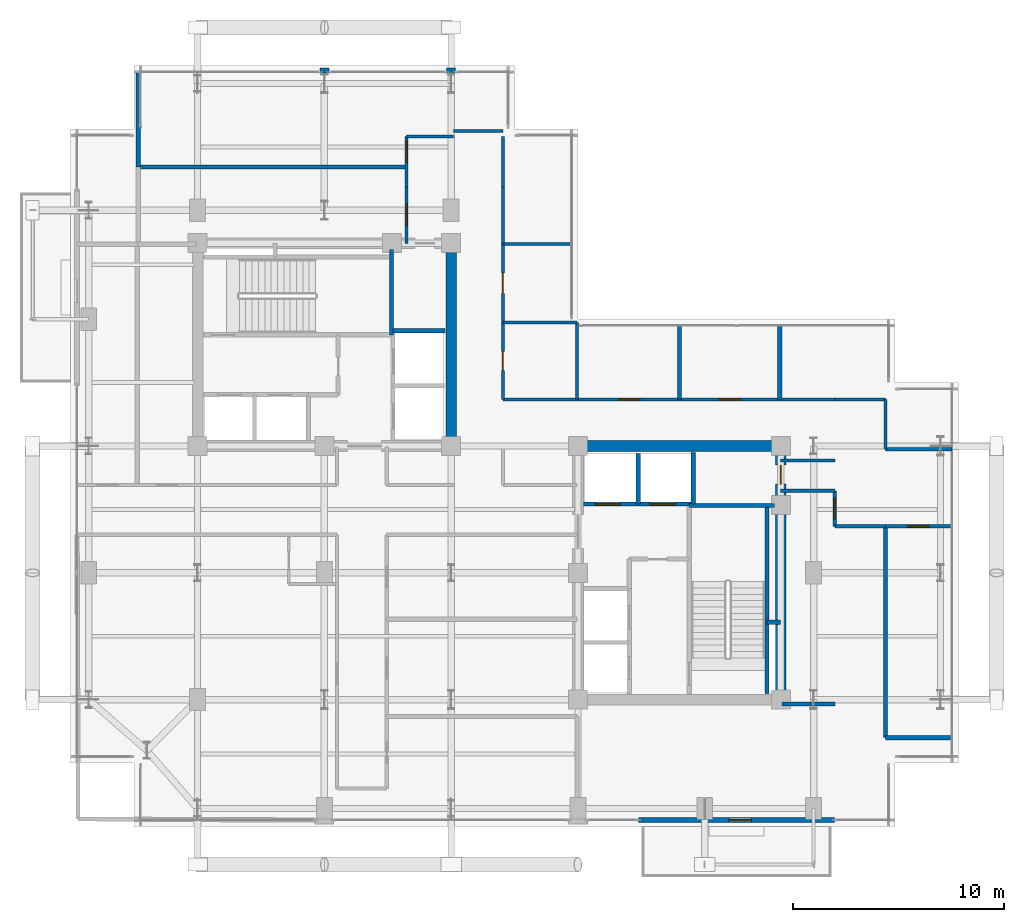
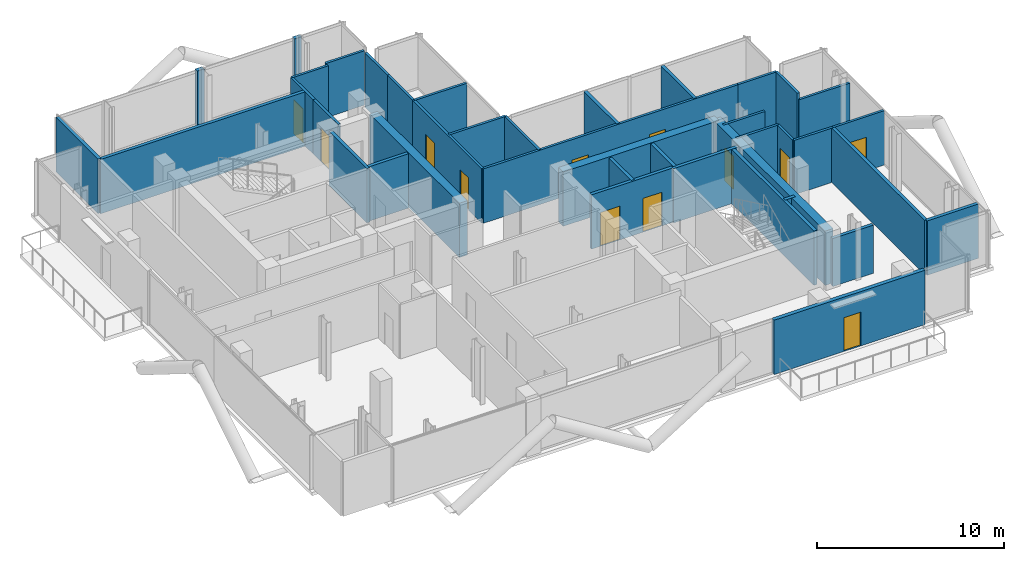
# One storey, part 21 of 25: 40 walls, 12 doors, 12 openings.
"""IFC4 building model written with IfcOpenShell, lengths in metres."""

from ifc_helpers import new_model, si_unit, direction, frame, frame_2d, origin, place, context, subcontext, project, spatial, rectangle, extrude, material, layer, layer_set, type_object, element, fill, save


model = new_model("IFC4")

# Units and contexts
model_context = context("Model", 3, precision=1e-05, world=origin(), true_north=direction((0.0, 1.0)))
body_context = subcontext(model_context, "Body", "Model", "MODEL_VIEW")
ifc_project = project(units=[si_unit("LENGTHUNIT", "METRE"), si_unit("AREAUNIT", "SQUARE_METRE"), si_unit("VOLUMEUNIT", "CUBIC_METRE"), si_unit("PLANEANGLEUNIT", "RADIAN"), si_unit("MASSUNIT", "GRAM", prefix="KILO"), si_unit("THERMODYNAMICTEMPERATUREUNIT", "KELVIN"), si_unit("POWERUNIT", "WATT")], contexts=[model_context])

# Site, building, storey
site_placement = place(None, origin())
site = spatial("IfcSite", under=ifc_project, at=site_placement, CompositionType="ELEMENT")
building_placement = place(site_placement, origin())
building = spatial("IfcBuilding", under=site, at=building_placement, Name="Svarakhadi Broadcast Tower", CompositionType="ELEMENT")
storey_placement = place(building_placement, frame((0.0, 0.0, 227.39990234375)))
storey = spatial("IfcBuildingStorey", under=building, at=storey_placement, Name="L56", CompositionType="ELEMENT", Elevation=227.39990234375)

# Walls
ifc_material_1 = material(Name="Double-Stud Acoustic Studio Partition STC-62", Category="gypsum")
ifc_layer_1 = layer(ifc_material_1, 0.199951171875)
ifc_layer_set_1 = layer_set([ifc_layer_1], Name="Double-Stud Acoustic Studio Partition STC-62")
wall_type_1 = type_object("IfcWallType", Name="Wall_Acoust_200", PredefinedType="PARTITIONING", material=ifc_layer_set_1)
for number, where, z_axis, x_axis, name in (
    (1, (28.800048828125, 20.199951171875, 0.0), (0.0, 0.0, 1.0), (0.0, 1.0, 0.0), "L56 Harbour Sky Club Reading Room Wall"),
    (2, (33.550048828125, 20.199951171875, 0.0), (0.0, 0.0, 1.0), (0.0, 1.0, 0.0), "L56 Private Sommelier Tasting Pantry Wall"),
):
    element("IfcWall", number, at=place(storey_placement, frame(where, z_axis=z_axis, x_axis=x_axis)), inside=storey, type_object=wall_type_1, Name=name, PredefinedType="PARTITIONING", context=body_context, shape_type="SweptSolid", body=[
        extrude(rectangle(XDim=3.5, YDim=0.199951171875, at=frame_2d((1.75, 0.0))), origin(), (0.0, 0.0, 1.0), 3.5400390625),
    ])
wall_1_placement = place(storey_placement, frame((33.64990234375, 5.800048828125, 0.0), z_axis=(0.0, 0.0, 1.0), x_axis=(1.0, 0.0, 0.0)))
element("IfcWall", 3, at=wall_1_placement, inside=storey, type_object=wall_type_1, Name="L56 Harbour Club Reading Salon Wall", PredefinedType="PARTITIONING", context=body_context, shape_type="SweptSolid", body=[
    extrude(rectangle(XDim=2.5, YDim=0.199951171875, at=frame_2d((1.25, 0.0))), origin(), (0.0, 0.0, 1.0), 3.132080078125),
])
wall_2_placement = place(storey_placement, frame((38.550048828125, 4.199951171875, 0.0), z_axis=(0.0, 0.0, 1.0), x_axis=(1.0, 0.0, 0.0)))
element("IfcWall", 4, at=wall_2_placement, inside=storey, type_object=wall_type_1, Name="L56 Sky Wellness Massage Lounge Wall", PredefinedType="PARTITIONING", context=body_context, shape_type="SweptSolid", body=[
    extrude(rectangle(XDim=3.14990234375, YDim=0.199951171875, at=frame_2d((1.574951171875, 0.0))), origin(), (0.0, 0.0, 1.0), 3.5400390625),
])
wall_3_placement = place(storey_placement, frame((38.550048828125, 4.199951171875, 0.0), z_axis=(0.0, 0.0, 1.0), x_axis=(0.0, 1.0, 0.0)))
element("IfcWall", 5, at=wall_3_placement, inside=storey, type_object=wall_type_1, Name="L56 Sky Wellness Massage Lounge Wall", PredefinedType="PARTITIONING", context=body_context, shape_type="SweptSolid", body=[
    extrude(rectangle(XDim=10.0, YDim=0.199951171875, at=frame_2d((5.0, 0.0))), origin(), (0.0, 0.0, 1.0), 3.5400390625),
])
wall_4_placement = place(storey_placement, frame((3.199951171875, 31.199951171875, 0.0), z_axis=(0.0, 0.0, 1.0), x_axis=(1.0, 0.0, 0.0)))
element("IfcWall", 6, at=wall_4_placement, inside=storey, type_object=wall_type_1, Name="L56 Hotel Pilates and Fitness Studio Wall", PredefinedType="PARTITIONING", context=body_context, shape_type="SweptSolid", body=[
    extrude(rectangle(XDim=12.679931640625, YDim=0.199951171875, at=frame_2d((6.33984375, 0.0))), origin(), (0.0, 0.0, 1.0), 3.5400390625),
])
wall_5_placement = place(storey_placement, frame((3.199951171875, 31.199951171875, 0.0), z_axis=(0.0, 0.0, 1.0), x_axis=(0.0, 1.0, 0.0)))
element("IfcWall", 7, at=wall_5_placement, inside=storey, type_object=wall_type_1, Name="L56 Conference Catering Pantry Wall", PredefinedType="PARTITIONING", context=body_context, shape_type="SweptSolid", body=[
    extrude(rectangle(XDim=4.5, YDim=0.199951171875, at=frame_2d((2.25, 0.0))), origin(), (0.0, 0.0, 1.0), 3.5400390625),
])

# Wall, opening, door
ifc_material_2 = material(Name="Concrete C40/50 (IS 456 M50)", Category="concrete")
ifc_layer_2 = layer(ifc_material_2, 0.239990234375)
ifc_layer_set_2 = layer_set([ifc_layer_2], Name="Concrete C40/50 (IS 456 M50)")
wall_type_2 = type_object("IfcWallType", Name="Wall_Ext_240", PredefinedType="SOLIDWALL", material=ifc_layer_set_2)
wall_6_placement = place(storey_placement, frame((36.14501953125, 0.300048828125, 0.0), z_axis=(0.0, 0.0, 1.0), x_axis=(-1.0, 0.0, 0.0)))
wall_6 = element("IfcWall", 8, at=wall_6_placement, inside=storey, type_object=wall_type_2, Name="L56 South Tree Balcony Spandrel Wall", PredefinedType="SOLIDWALL", context=body_context, shape_type="SweptSolid", body=[
    extrude(rectangle(XDim=9.2900390625, YDim=0.239990234375, at=frame_2d((4.64501953125, 0.0))), origin(), (0.0, 0.0, 1.0), 3.5400390625),
])
opening_1_placement = place(wall_6_placement, frame((3.945068359375, 0.0, 0.0)))
opening_1 = element("IfcOpeningElement", 9, at=opening_1_placement, cuts=wall_6, Name="Opening ED-06", PredefinedType="OPENING", context=body_context, shape_type="SweptSolid", body=[
    extrude(rectangle(XDim=1.050048828125, YDim=2.199951171875, at=frame_2d((0.52490234375, 1.10009765625))), frame((0.0, 0.1298828125, 0.0), z_axis=(0.0, -1.0, 0.0), x_axis=(1.0, 0.0, 0.0)), (0.0, 0.0, 1.0), 0.260009765625),
])
ifc_material_3 = material(Name="Anodised Bronze Aluminium AA 6063-T6", Category="aluminium")
door_type_1 = type_object("IfcDoorType", Name="Door_Ext_ED06", OperationType="SINGLE_SWING_RIGHT", PredefinedType="DOOR", material=ifc_material_3)
door_1_placement = place(opening_1_placement, origin())
door_1 = element("IfcDoor", 10, at=door_1_placement, inside=storey, type_object=door_type_1, Name="L56 South Tree Balcony Door", OperationType="SINGLE_SWING_RIGHT", OverallHeight=2.199951171875, OverallWidth=1.050048828125, PredefinedType="DOOR", context=body_context, shape_type="SweptSolid", body=[
    extrude(rectangle(XDim=1.050048828125, YDim=2.199951171875, at=frame_2d((0.52490234375, 1.10009765625))), frame((0.0, 0.02490234375, 0.0), z_axis=(0.0, -1.0, 0.0), x_axis=(1.0, 0.0, 0.0)), (0.0, 0.0, 1.0), 0.050048828125),
])
fill(opening_1, door_1)

# Walls
for number, where, z_axis, x_axis, name in (
    (11, (11.784912109375, 35.760009765625, 0.0), (0.0, 0.0, 1.0), (1.0, 0.0, 0.0), "L56 Perimeter Bronze Spandrel Closure Wall 01"),
    (12, (17.784912109375, 35.760009765625, 0.0), (0.0, 0.0, 1.0), (1.0, 0.0, 0.0), "L56 Perimeter Bronze Spandrel Closure Wall 02"),
):
    element("IfcWall", number, at=place(storey_placement, frame(where, z_axis=z_axis, x_axis=x_axis)), inside=storey, type_object=wall_type_2, Name=name, PredefinedType="SOLIDWALL", context=body_context, shape_type="SweptSolid", body=[
        extrude(rectangle(XDim=0.43017578125, YDim=0.239990234375, at=frame_2d((0.215087890625, 0.0))), origin(), (0.0, 0.0, 1.0), 3.5400390625),
    ])
ifc_layer_3 = layer(ifc_material_2, 0.199951171875)
ifc_layer_set_3 = layer_set([ifc_layer_3], Name="Concrete C40/50 (IS 456 M50)")
wall_type_3 = type_object("IfcWallType", Name="Wall_Fire_200", PredefinedType="SOLIDWALL", material=ifc_layer_set_3)
wall_7_placement = place(storey_placement, frame((32.93994140625, 9.659912109375, 0.0), z_axis=(0.0, 0.0, 1.0), x_axis=(1.0, 0.0, 0.0)))
element("IfcWall", 13, at=wall_7_placement, inside=storey, type_object=wall_type_3, Name="L56 HV Busduct Riser Shaft North Wall", PredefinedType="SOLIDWALL", context=body_context, shape_type="SweptSolid", body=[
    extrude(rectangle(XDim=0.64013671875, YDim=0.199951171875, at=frame_2d((0.320068359375, 0.0))), origin(), (0.0, 0.0, 1.0), 3.5400390625),
])

# Wall, opening, door
ifc_material_4 = material(Name="Autoclaved Aerated Concrete Blockwork 150 mm", Category="masonry")
ifc_layer_4 = layer(ifc_material_4, 0.14990234375)
ifc_layer_set_4 = layer_set([ifc_layer_4], Name="Autoclaved Aerated Concrete Blockwork 150 mm")
wall_type_4 = type_object("IfcWallType", Name="Wall_Part_150", PredefinedType="PARTITIONING", material=ifc_layer_set_4)
wall_8_placement = place(storey_placement, frame((15.8798828125, 27.580078125, 0.0), z_axis=(0.0, 0.0, 1.0), x_axis=(0.0, 1.0, 0.0)))
wall_8 = element("IfcWall", 14, at=wall_8_placement, inside=storey, type_object=wall_type_4, Name="L56 Upper Tower Concourse Wall", PredefinedType="PARTITIONING", context=body_context, shape_type="SweptSolid", body=[
    extrude(rectangle(XDim=2.669921875, YDim=0.14990234375, at=frame_2d((1.3349609375, 0.0))), origin(), (0.0, 0.0, 1.0), 3.5400390625),
])
opening_2_placement = place(wall_8_placement, frame((0.8701171875, 0.0, 0.0)))
opening_2 = element("IfcOpeningElement", 15, at=opening_2_placement, cuts=wall_8, Name="Opening D-09", PredefinedType="OPENING", context=body_context, shape_type="SweptSolid", body=[
    extrude(rectangle(XDim=1.0, YDim=2.199951171875, at=frame_2d((0.5, 1.10009765625))), frame((0.0, 0.0849609375, 0.0), z_axis=(0.0, -1.0, 0.0), x_axis=(1.0, 0.0, 0.0)), (0.0, 0.0, 1.0), 0.169921875),
])
ifc_material_5 = material(Name="Solid-Core Teak Veneer Acoustic Timber Leaf", Category="wood")
door_type_2 = type_object("IfcDoorType", Name="Door_Suite_D09", OperationType="SINGLE_SWING_RIGHT", PredefinedType="DOOR", material=ifc_material_5)
door_2_placement = place(opening_2_placement, origin())
door_2 = element("IfcDoor", 16, at=door_2_placement, inside=storey, type_object=door_type_2, Name="L56 Hotel Pilates and Fitness Studio Door", OperationType="SINGLE_SWING_RIGHT", OverallHeight=2.199951171875, OverallWidth=1.0, PredefinedType="DOOR", context=body_context, shape_type="SweptSolid", body=[
    extrude(rectangle(XDim=1.0, YDim=2.199951171875, at=frame_2d((0.5, 1.10009765625))), frame((0.0, 0.02490234375, 0.0), z_axis=(0.0, -1.0, 0.0), x_axis=(1.0, 0.0, 0.0)), (0.0, 0.0, 1.0), 0.050048828125),
])
fill(opening_2, door_2)

wall_9_placement = place(storey_placement, frame((15.8798828125, 30.25, 0.0), z_axis=(0.0, 0.0, 1.0), x_axis=(0.0, 1.0, 0.0)))
wall_9 = element("IfcWall", 17, at=wall_9_placement, inside=storey, type_object=wall_type_4, Name="L56 Upper Tower Concourse Wall", PredefinedType="PARTITIONING", context=body_context, shape_type="SweptSolid", body=[
    extrude(rectangle(XDim=2.39990234375, YDim=0.14990234375, at=frame_2d((1.199951171875, 0.0))), origin(), (0.0, 0.0, 1.0), 3.5400390625),
])
opening_3_placement = place(wall_9_placement, frame((1.175048828125, 0.0, 0.0)))
opening_3 = element("IfcOpeningElement", 18, at=opening_3_placement, cuts=wall_9, Name="Opening D-09", PredefinedType="OPENING", context=body_context, shape_type="SweptSolid", body=[
    extrude(rectangle(XDim=1.0, YDim=2.199951171875, at=frame_2d((0.5, 1.10009765625))), frame((0.0, 0.0849609375, 0.0), z_axis=(0.0, -1.0, 0.0), x_axis=(1.0, 0.0, 0.0)), (0.0, 0.0, 1.0), 0.169921875),
])
door_3_placement = place(opening_3_placement, origin())
door_3 = element("IfcDoor", 19, at=door_3_placement, inside=storey, type_object=door_type_2, Name="L56 Conference Catering Pantry Door", OperationType="SINGLE_SWING_RIGHT", OverallHeight=2.199951171875, OverallWidth=1.0, PredefinedType="DOOR", context=body_context, shape_type="SweptSolid", body=[
    extrude(rectangle(XDim=1.0, YDim=2.199951171875, at=frame_2d((0.5, 1.10009765625))), frame((0.0, 0.02490234375, 0.0), z_axis=(0.0, -1.0, 0.0), x_axis=(1.0, 0.0, 0.0)), (0.0, 0.0, 1.0), 0.050048828125),
])
fill(opening_3, door_3)

# Walls
wall_10_placement = place(storey_placement, frame((15.8798828125, 32.64990234375, 0.0), z_axis=(0.0, 0.0, 1.0), x_axis=(1.0, 0.0, 0.0)))
element("IfcWall", 20, at=wall_10_placement, inside=storey, type_object=wall_type_4, Name="L56 Upper Tower Concourse Wall", PredefinedType="PARTITIONING", context=body_context, shape_type="SweptSolid", body=[
    extrude(rectangle(XDim=2.22021484375, YDim=0.14990234375, at=frame_2d((1.110107421875, 0.0))), origin(), (0.0, 0.0, 1.0), 3.5400390625),
])
wall_11_placement = place(storey_placement, frame((18.10009765625, 32.89990234375, 0.0), z_axis=(0.0, 0.0, 1.0), x_axis=(1.0, 0.0, 0.0)))
element("IfcWall", 21, at=wall_11_placement, inside=storey, type_object=wall_type_4, Name="L56 Upper Tower Concourse Wall", PredefinedType="PARTITIONING", context=body_context, shape_type="SweptSolid", body=[
    extrude(rectangle(XDim=2.349853515625, YDim=0.14990234375, at=frame_2d((1.1748046875, 0.0))), origin(), (0.0, 0.0, 1.0), 3.5400390625),
])
wall_12_placement = place(storey_placement, frame((20.449951171875, 32.64990234375, 0.0), z_axis=(0.0, 0.0, 1.0), x_axis=(0.0, -1.0, 0.0)))
element("IfcWall", 22, at=wall_12_placement, inside=storey, type_object=wall_type_4, Name="L56 Upper Tower Concourse Wall", PredefinedType="PARTITIONING", context=body_context, shape_type="SweptSolid", body=[
    extrude(rectangle(XDim=2.39990234375, YDim=0.14990234375, at=frame_2d((1.199951171875, 0.0))), origin(), (0.0, 0.0, 1.0), 3.5400390625),
])
wall_13_placement = place(storey_placement, frame((20.449951171875, 30.25, 0.0), z_axis=(0.0, 0.0, 1.0), x_axis=(0.0, -1.0, 0.0)))
element("IfcWall", 23, at=wall_13_placement, inside=storey, type_object=wall_type_4, Name="L56 Upper Tower Concourse Wall", PredefinedType="PARTITIONING", context=body_context, shape_type="SweptSolid", body=[
    extrude(rectangle(XDim=2.669921875, YDim=0.14990234375, at=frame_2d((1.3349609375, 0.0))), origin(), (0.0, 0.0, 1.0), 3.5400390625),
])

# Wall, openings, doors
wall_14_placement = place(storey_placement, frame((20.449951171875, 27.580078125, 0.0), z_axis=(0.0, 0.0, 1.0), x_axis=(0.0, -1.0, 0.0)))
wall_14 = element("IfcWall", 24, at=wall_14_placement, inside=storey, type_object=wall_type_4, Name="L56 Upper Tower Concourse Wall", PredefinedType="PARTITIONING", context=body_context, shape_type="SweptSolid", body=[
    extrude(rectangle(XDim=7.380126953125, YDim=0.14990234375, at=frame_2d((3.68994140625, 0.0))), origin(), (0.0, 0.0, 1.0), 3.5400390625),
])
opening_4_placement = place(wall_14_placement, frame((5.10498046875, 0.0, 0.0)))
opening_4 = element("IfcOpeningElement", 25, at=opening_4_placement, cuts=wall_14, Name="Opening D-12", PredefinedType="OPENING", context=body_context, shape_type="SweptSolid", body=[
    extrude(rectangle(XDim=0.89990234375, YDim=2.10009765625, at=frame_2d((0.449951171875, 1.050048828125))), frame((0.0, 0.0849609375, 0.0), z_axis=(0.0, -1.0, 0.0), x_axis=(1.0, 0.0, 0.0)), (0.0, 0.0, 1.0), 0.169921875),
])
opening_5_placement = place(wall_14_placement, frame((1.405029296875, 0.0, 0.0)))
opening_5 = element("IfcOpeningElement", 26, at=opening_5_placement, cuts=wall_14, Name="Opening D-07", PredefinedType="OPENING", context=body_context, shape_type="SweptSolid", body=[
    extrude(rectangle(XDim=0.949951171875, YDim=2.14990234375, at=frame_2d((0.47509765625, 1.074951171875))), frame((0.0, 0.0849609375, 0.0), z_axis=(0.0, -1.0, 0.0), x_axis=(1.0, 0.0, 0.0)), (0.0, 0.0, 1.0), 0.169921875),
])
door_type_3 = type_object("IfcDoorType", Name="Door_Office_D07", OperationType="SINGLE_SWING_RIGHT", PredefinedType="DOOR", material=ifc_material_5)
door_4_placement = place(opening_5_placement, origin())
door_4 = element("IfcDoor", 27, at=door_4_placement, inside=storey, type_object=door_type_3, Name="L56 Hotel Butler Service Pantry Door", OperationType="SINGLE_SWING_RIGHT", OverallHeight=2.14990234375, OverallWidth=0.949951171875, PredefinedType="DOOR", context=body_context, shape_type="SweptSolid", body=[
    extrude(rectangle(XDim=0.949951171875, YDim=2.14990234375, at=frame_2d((0.47509765625, 1.074951171875))), frame((0.0, 0.02490234375, 0.0), z_axis=(0.0, -1.0, 0.0), x_axis=(1.0, 0.0, 0.0)), (0.0, 0.0, 1.0), 0.050048828125),
])
fill(opening_5, door_4)
door_type_4 = type_object("IfcDoorType", Name="Door_WC_D01", OperationType="SINGLE_SWING_LEFT", PredefinedType="DOOR", material=ifc_material_5)
door_5_placement = place(opening_4_placement, origin())
door_5 = element("IfcDoor", 28, at=door_5_placement, inside=storey, type_object=door_type_4, Name="L56 Accessible Visitor Washroom WC Door", OperationType="SINGLE_SWING_LEFT", OverallHeight=2.10009765625, OverallWidth=0.89990234375, PredefinedType="DOOR", context=body_context, shape_type="SweptSolid", body=[
    extrude(rectangle(XDim=0.89990234375, YDim=2.10009765625, at=frame_2d((0.449951171875, 1.050048828125))), frame((0.0, 0.02490234375, 0.0), z_axis=(0.0, -1.0, 0.0), x_axis=(1.0, 0.0, 0.0)), (0.0, 0.0, 1.0), 0.050048828125),
])
fill(opening_4, door_5)

wall_15_placement = place(storey_placement, frame((20.449951171875, 20.199951171875, 0.0), z_axis=(0.0, 0.0, 1.0), x_axis=(1.0, 0.0, 0.0)))
wall_15 = element("IfcWall", 29, at=wall_15_placement, inside=storey, type_object=wall_type_4, Name="L56 Upper Tower Concourse Wall", PredefinedType="PARTITIONING", context=body_context, shape_type="SweptSolid", body=[
    extrude(rectangle(XDim=15.699951171875, YDim=0.14990234375, at=frame_2d((7.85009765625, 0.0))), origin(), (0.0, 0.0, 1.0), 3.5400390625),
])
opening_6_placement = place(wall_15_placement, frame((5.47509765625, 0.0, 0.0)))
opening_6 = element("IfcOpeningElement", 30, at=opening_6_placement, cuts=wall_15, Name="Opening D-08", PredefinedType="OPENING", context=body_context, shape_type="SweptSolid", body=[
    extrude(rectangle(XDim=1.0, YDim=2.199951171875, at=frame_2d((0.5, 1.10009765625))), frame((0.0, 0.0849609375, 0.0), z_axis=(0.0, -1.0, 0.0), x_axis=(1.0, 0.0, 0.0)), (0.0, 0.0, 1.0), 0.169921875),
])
opening_7_placement = place(wall_15_placement, frame((10.22509765625, 0.0, 0.0)))
opening_7 = element("IfcOpeningElement", 31, at=opening_7_placement, cuts=wall_15, Name="Opening D-09", PredefinedType="OPENING", context=body_context, shape_type="SweptSolid", body=[
    extrude(rectangle(XDim=1.0, YDim=2.199951171875, at=frame_2d((0.5, 1.10009765625))), frame((0.0, 0.0849609375, 0.0), z_axis=(0.0, -1.0, 0.0), x_axis=(1.0, 0.0, 0.0)), (0.0, 0.0, 1.0), 0.169921875),
])
door_type_5 = type_object("IfcDoorType", Name="Door_Suite_D08", OperationType="SINGLE_SWING_LEFT", PredefinedType="DOOR", material=ifc_material_5)
door_6_placement = place(opening_6_placement, origin())
door_6 = element("IfcDoor", 32, at=door_6_placement, inside=storey, type_object=door_type_5, Name="L56 Harbour Sky Club Reading Room Door", OperationType="SINGLE_SWING_LEFT", OverallHeight=2.199951171875, OverallWidth=1.0, PredefinedType="DOOR", context=body_context, shape_type="SweptSolid", body=[
    extrude(rectangle(XDim=1.0, YDim=2.199951171875, at=frame_2d((0.5, 1.10009765625))), frame((0.0, 0.02490234375, 0.0), z_axis=(0.0, -1.0, 0.0), x_axis=(1.0, 0.0, 0.0)), (0.0, 0.0, 1.0), 0.050048828125),
])
fill(opening_6, door_6)
door_7_placement = place(opening_7_placement, origin())
door_7 = element("IfcDoor", 33, at=door_7_placement, inside=storey, type_object=door_type_2, Name="L56 Private Sommelier Tasting Pantry Door", OperationType="SINGLE_SWING_RIGHT", OverallHeight=2.199951171875, OverallWidth=1.0, PredefinedType="DOOR", context=body_context, shape_type="SweptSolid", body=[
    extrude(rectangle(XDim=1.0, YDim=2.199951171875, at=frame_2d((0.5, 1.10009765625))), frame((0.0, 0.02490234375, 0.0), z_axis=(0.0, -1.0, 0.0), x_axis=(1.0, 0.0, 0.0)), (0.0, 0.0, 1.0), 0.050048828125),
])
fill(opening_7, door_7)

# Walls
wall_16_placement = place(storey_placement, frame((36.14990234375, 20.199951171875, 0.0), z_axis=(0.0, 0.0, 1.0), x_axis=(1.0, 0.0, 0.0)))
element("IfcWall", 34, at=wall_16_placement, inside=storey, type_object=wall_type_4, Name="L56 Upper Tower Concourse Wall", PredefinedType="PARTITIONING", context=body_context, shape_type="SweptSolid", body=[
    extrude(rectangle(XDim=2.400146484375, YDim=0.14990234375, at=frame_2d((1.2001953125, 0.0))), origin(), (0.0, 0.0, 1.0), 3.5400390625),
])
wall_17_placement = place(storey_placement, frame((38.550048828125, 20.199951171875, 0.0), z_axis=(0.0, 0.0, 1.0), x_axis=(0.0, -1.0, 0.0)))
element("IfcWall", 35, at=wall_17_placement, inside=storey, type_object=wall_type_4, Name="L56 Upper Tower Concourse Wall", PredefinedType="PARTITIONING", context=body_context, shape_type="SweptSolid", body=[
    extrude(rectangle(XDim=2.349853515625, YDim=0.14990234375, at=frame_2d((1.1748046875, 0.0))), origin(), (0.0, 0.0, 1.0), 3.5400390625),
])
wall_18_placement = place(storey_placement, frame((38.550048828125, 17.85009765625, 0.0), z_axis=(0.0, 0.0, 1.0), x_axis=(1.0, 0.0, 0.0)))
element("IfcWall", 36, at=wall_18_placement, inside=storey, type_object=wall_type_4, Name="L56 Upper Tower Concourse Wall", PredefinedType="PARTITIONING", context=body_context, shape_type="SweptSolid", body=[
    extrude(rectangle(XDim=3.14990234375, YDim=0.14990234375, at=frame_2d((1.574951171875, 0.0))), origin(), (0.0, 0.0, 1.0), 3.132080078125),
])

# Wall, opening, door
wall_19_placement = place(storey_placement, frame((41.699951171875, 14.199951171875, 0.0), z_axis=(0.0, 0.0, 1.0), x_axis=(-1.0, 0.0, 0.0)))
wall_19 = element("IfcWall", 37, at=wall_19_placement, inside=storey, type_object=wall_type_4, Name="L56 Upper Tower Concourse Wall", PredefinedType="PARTITIONING", context=body_context, shape_type="SweptSolid", body=[
    extrude(rectangle(XDim=3.14990234375, YDim=0.14990234375, at=frame_2d((1.574951171875, 0.0))), origin(), (0.0, 0.0, 1.0), 3.5400390625),
])
opening_8_placement = place(wall_19_placement, frame((1.10009765625, 0.0, 0.0)))
opening_8 = element("IfcOpeningElement", 38, at=opening_8_placement, cuts=wall_19, Name="Opening D-08", PredefinedType="OPENING", context=body_context, shape_type="SweptSolid", body=[
    extrude(rectangle(XDim=1.0, YDim=2.199951171875, at=frame_2d((0.5, 1.10009765625))), frame((0.0, 0.0849609375, 0.0), z_axis=(0.0, -1.0, 0.0), x_axis=(1.0, 0.0, 0.0)), (0.0, 0.0, 1.0), 0.169921875),
])
door_8_placement = place(opening_8_placement, origin())
door_8 = element("IfcDoor", 39, at=door_8_placement, inside=storey, type_object=door_type_5, Name="L56 Sky Wellness Massage Lounge Door", OperationType="SINGLE_SWING_LEFT", OverallHeight=2.199951171875, OverallWidth=1.0, PredefinedType="DOOR", context=body_context, shape_type="SweptSolid", body=[
    extrude(rectangle(XDim=1.0, YDim=2.199951171875, at=frame_2d((0.5, 1.10009765625))), frame((0.0, 0.02490234375, 0.0), z_axis=(0.0, -1.0, 0.0), x_axis=(1.0, 0.0, 0.0)), (0.0, 0.0, 1.0), 0.050048828125),
])
fill(opening_8, door_8)

# Wall
wall_20_placement = place(storey_placement, frame((38.550048828125, 14.199951171875, 0.0), z_axis=(0.0, 0.0, 1.0), x_axis=(-1.0, 0.0, 0.0)))
element("IfcWall", 40, at=wall_20_placement, inside=storey, type_object=wall_type_4, Name="L56 Upper Tower Concourse Wall", PredefinedType="PARTITIONING", context=body_context, shape_type="SweptSolid", body=[
    extrude(rectangle(XDim=2.400146484375, YDim=0.14990234375, at=frame_2d((1.2001953125, 0.0))), origin(), (0.0, 0.0, 1.0), 3.5400390625),
])

# Wall, opening, door
wall_21_placement = place(storey_placement, frame((36.14990234375, 14.199951171875, 0.0), z_axis=(0.0, 0.0, 1.0), x_axis=(0.0, 1.0, 0.0)))
wall_21 = element("IfcWall", 41, at=wall_21_placement, inside=storey, type_object=wall_type_4, Name="L56 Upper Tower Concourse Wall", PredefinedType="PARTITIONING", context=body_context, shape_type="SweptSolid", body=[
    extrude(rectangle(XDim=1.679931640625, YDim=0.14990234375, at=frame_2d((0.83984375, 0.0))), origin(), (0.0, 0.0, 1.0), 3.5400390625),
])
opening_9_placement = place(wall_21_placement, frame((0.340087890625, 0.0, 0.0)))
opening_9 = element("IfcOpeningElement", 42, at=opening_9_placement, cuts=wall_21, Name="Opening D-09", PredefinedType="OPENING", context=body_context, shape_type="SweptSolid", body=[
    extrude(rectangle(XDim=1.0, YDim=2.199951171875, at=frame_2d((0.5, 1.10009765625))), frame((0.0, 0.0849609375, 0.0), z_axis=(0.0, -1.0, 0.0), x_axis=(1.0, 0.0, 0.0)), (0.0, 0.0, 1.0), 0.169921875),
])
door_9_placement = place(opening_9_placement, origin())
door_9 = element("IfcDoor", 43, at=door_9_placement, inside=storey, type_object=door_type_2, Name="L56 Harbour Club Reading Salon Door", OperationType="SINGLE_SWING_RIGHT", OverallHeight=2.199951171875, OverallWidth=1.0, PredefinedType="DOOR", context=body_context, shape_type="SweptSolid", body=[
    extrude(rectangle(XDim=1.0, YDim=2.199951171875, at=frame_2d((0.5, 1.10009765625))), frame((0.0, 0.02490234375, 0.0), z_axis=(0.0, -1.0, 0.0), x_axis=(1.0, 0.0, 0.0)), (0.0, 0.0, 1.0), 0.050048828125),
])
fill(opening_9, door_9)

# Walls
for number, where, z_axis, x_axis, name in (
    (44, (36.14990234375, 15.8798828125, 0.0), (0.0, 0.0, 1.0), (-1.0, 0.0, 0.0), "L56 Upper Tower Concourse Wall"),
    (45, (33.580078125, 17.320068359375, 0.0), (0.0, 0.0, 1.0), (1.0, 0.0, 0.0), "L56 Upper Tower Concourse Wall"),
):
    element("IfcWall", number, at=place(storey_placement, frame(where, z_axis=z_axis, x_axis=x_axis)), inside=storey, type_object=wall_type_4, Name=name, PredefinedType="PARTITIONING", context=body_context, shape_type="SweptSolid", body=[
        extrude(rectangle(XDim=2.56982421875, YDim=0.14990234375, at=frame_2d((1.284912109375, 0.0))), origin(), (0.0, 0.0, 1.0), 3.5400390625),
    ])
wall_22_placement = place(storey_placement, frame((20.449951171875, 23.85009765625, 0.0), z_axis=(0.0, 0.0, 1.0), x_axis=(1.0, 0.0, 0.0)))
element("IfcWall", 46, at=wall_22_placement, inside=storey, type_object=wall_type_4, Name="L56 Accessible Visitor Washroom WC Wall", PredefinedType="PARTITIONING", context=body_context, shape_type="SweptSolid", body=[
    extrude(rectangle(XDim=3.5, YDim=0.14990234375, at=frame_2d((1.75, 0.0))), origin(), (0.0, 0.0, 1.0), 3.5400390625),
])
wall_23_placement = place(storey_placement, frame((23.949951171875, 20.199951171875, 0.0), z_axis=(0.0, 0.0, 1.0), x_axis=(0.0, 1.0, 0.0)))
element("IfcWall", 47, at=wall_23_placement, inside=storey, type_object=wall_type_4, Name="L56 Accessible Visitor Washroom WC Wall", PredefinedType="PARTITIONING", context=body_context, shape_type="SweptSolid", body=[
    extrude(rectangle(XDim=3.650146484375, YDim=0.14990234375, at=frame_2d((1.8251953125, 0.0))), origin(), (0.0, 0.0, 1.0), 3.5400390625),
])
wall_24_placement = place(storey_placement, frame((20.449951171875, 27.550048828125, 0.0), z_axis=(0.0, 0.0, 1.0), x_axis=(1.0, 0.0, 0.0)))
element("IfcWall", 48, at=wall_24_placement, inside=storey, type_object=wall_type_4, Name="L56 Hotel Butler Service Pantry Wall", PredefinedType="PARTITIONING", context=body_context, shape_type="SweptSolid", body=[
    extrude(rectangle(XDim=3.25, YDim=0.14990234375, at=frame_2d((1.625, 0.0))), origin(), (0.0, 0.0, 1.0), 3.5400390625),
])
ifc_material_6 = material(Name="Concrete C50/60 (IS 456 M60)", Category="concrete")
ifc_layer_5 = layer(ifc_material_6, 0.199951171875)
ifc_layer_set_5 = layer_set([ifc_layer_5], Name="Concrete C50/60 (IS 456 M60)")
wall_type_5 = type_object("IfcWallType", Name="Wall_Shear_200", PredefinedType="SHEAR", material=ifc_layer_set_5)
wall_25_placement = place(storey_placement, frame((15.179931640625, 23.260009765625, 0.0), z_axis=(0.0, 0.0, 1.0), x_axis=(0.0, 1.0, 0.0)))
element("IfcWall", 49, at=wall_25_placement, inside=storey, type_object=wall_type_5, Name="L56 Stair ST-01 East RC Shaft Wall", PredefinedType="SHEAR", context=body_context, shape_type="SweptSolid", body=[
    extrude(rectangle(XDim=4.0400390625, YDim=0.199951171875, at=frame_2d((2.02001953125, 0.0))), origin(), (0.0, 0.0, 1.0), 3.5400390625),
])
wall_26_placement = place(storey_placement, frame((32.93994140625, 6.300048828125, 0.0), z_axis=(0.0, 0.0, 1.0), x_axis=(0.0, 1.0, 0.0)))
element("IfcWall", 50, at=wall_26_placement, inside=storey, type_object=wall_type_5, Name="L56 Stair ST-02 East RC Shaft Wall", PredefinedType="SHEAR", context=body_context, shape_type="SweptSolid", body=[
    extrude(rectangle(XDim=8.8798828125, YDim=0.199951171875, at=frame_2d((4.43994140625, 0.0))), origin(), (0.0, 0.0, 1.0), 3.5400390625),
])
wall_27_placement = place(storey_placement, frame((29.260009765625, 15.179931640625, 0.0), z_axis=(0.0, 0.0, 1.0), x_axis=(1.0, 0.0, 0.0)))
element("IfcWall", 51, at=wall_27_placement, inside=storey, type_object=wall_type_5, Name="L56 Stair ST-02 North RC Shaft Wall", PredefinedType="SHEAR", context=body_context, shape_type="SweptSolid", body=[
    extrude(rectangle(XDim=4.0400390625, YDim=0.199951171875, at=frame_2d((2.02001953125, 0.0))), origin(), (0.0, 0.0, 1.0), 3.5400390625),
])
wall_28_placement = place(storey_placement, frame((15.25, 23.449951171875, 0.0), z_axis=(0.0, 0.0, 1.0), x_axis=(1.0, 0.0, 0.0)))
element("IfcWall", 52, at=wall_28_placement, inside=storey, type_object=wall_type_5, Name="L56 High-Rise Lift LF-13/14 North Wall", PredefinedType="SHEAR", context=body_context, shape_type="SweptSolid", body=[
    extrude(rectangle(XDim=2.449951171875, YDim=0.199951171875, at=frame_2d((1.22509765625, 0.0))), origin(), (0.0, 0.0, 1.0), 3.5400390625),
])

# Wall, openings, doors
wall_29_placement = place(storey_placement, frame((24.25, 15.25, 0.0), z_axis=(0.0, 0.0, 1.0), x_axis=(1.0, 0.0, 0.0)))
wall_29 = element("IfcWall", 53, at=wall_29_placement, inside=storey, type_object=wall_type_5, Name="L56 High-Rise Lift LF-15/16 South Shaft Wall", PredefinedType="SHEAR", context=body_context, shape_type="SweptSolid", body=[
    extrude(rectangle(XDim=5.199951171875, YDim=0.199951171875, at=frame_2d((2.60009765625, 0.0))), origin(), (0.0, 0.0, 1.0), 3.5400390625),
])
opening_10_placement = place(wall_29_placement, frame((0.550048828125, 0.0, 0.0)))
opening_10 = element("IfcOpeningElement", 54, at=opening_10_placement, cuts=wall_29, Name="Opening LD-02", PredefinedType="OPENING", context=body_context, shape_type="SweptSolid", body=[
    extrude(rectangle(XDim=1.199951171875, YDim=2.199951171875, at=frame_2d((0.60009765625, 1.10009765625))), frame((0.0, 0.10986328125, 0.0), z_axis=(0.0, -1.0, 0.0), x_axis=(1.0, 0.0, 0.0)), (0.0, 0.0, 1.0), 0.219970703125),
])
opening_11_placement = place(wall_29_placement, frame((3.14990234375, 0.0, 0.0)))
opening_11 = element("IfcOpeningElement", 55, at=opening_11_placement, cuts=wall_29, Name="Opening LD-02", PredefinedType="OPENING", context=body_context, shape_type="SweptSolid", body=[
    extrude(rectangle(XDim=1.199951171875, YDim=2.199951171875, at=frame_2d((0.60009765625, 1.10009765625))), frame((0.0, 0.10986328125, 0.0), z_axis=(0.0, -1.0, 0.0), x_axis=(1.0, 0.0, 0.0)), (0.0, 0.0, 1.0), 0.219970703125),
])
ifc_material_7 = material(Name="Galvanised Powder-Coated Fire-Rated Steel Leaf", Category="steel")
door_type_6 = type_object("IfcDoorType", Name="Door_Lift_LD02", OperationType="SLIDING_TO_RIGHT", PredefinedType="DOOR", material=ifc_material_7)
door_10_placement = place(opening_10_placement, origin())
door_10 = element("IfcDoor", 56, at=door_10_placement, inside=storey, type_object=door_type_6, Name="L56 High-Rise Lift LF-15 Landing Door", OperationType="SLIDING_TO_RIGHT", OverallHeight=2.199951171875, OverallWidth=1.199951171875, PredefinedType="DOOR", context=body_context, shape_type="SweptSolid", body=[
    extrude(rectangle(XDim=1.199951171875, YDim=2.199951171875, at=frame_2d((0.60009765625, 1.10009765625))), frame((0.0, 0.02490234375, 0.0), z_axis=(0.0, -1.0, 0.0), x_axis=(1.0, 0.0, 0.0)), (0.0, 0.0, 1.0), 0.050048828125),
])
fill(opening_10, door_10)
door_11_placement = place(opening_11_placement, origin())
door_11 = element("IfcDoor", 57, at=door_11_placement, inside=storey, type_object=door_type_6, Name="L56 High-Rise Lift LF-16 Landing Door", OperationType="SLIDING_TO_RIGHT", OverallHeight=2.199951171875, OverallWidth=1.199951171875, PredefinedType="DOOR", context=body_context, shape_type="SweptSolid", body=[
    extrude(rectangle(XDim=1.199951171875, YDim=2.199951171875, at=frame_2d((0.60009765625, 1.10009765625))), frame((0.0, 0.02490234375, 0.0), z_axis=(0.0, -1.0, 0.0), x_axis=(1.0, 0.0, 0.0)), (0.0, 0.0, 1.0), 0.050048828125),
])
fill(opening_11, door_11)

# Walls
wall_30_placement = place(storey_placement, frame((26.85009765625, 15.25, 0.0), z_axis=(0.0, 0.0, 1.0), x_axis=(0.0, 1.0, 0.0)))
element("IfcWall", 58, at=wall_30_placement, inside=storey, type_object=wall_type_5, Name="L56 High-Rise Lift LF-15/16 Divider", PredefinedType="SHEAR", context=body_context, shape_type="SweptSolid", body=[
    extrude(rectangle(XDim=2.39990234375, YDim=0.199951171875, at=frame_2d((1.199951171875, 0.0))), origin(), (0.0, 0.0, 1.0), 3.5400390625),
])
wall_31_placement = place(storey_placement, frame((29.449951171875, 15.25, 0.0), z_axis=(0.0, 0.0, 1.0), x_axis=(0.0, 1.0, 0.0)))
element("IfcWall", 59, at=wall_31_placement, inside=storey, type_object=wall_type_5, Name="L56 High-Rise Lift LF-15/16 East Wall", PredefinedType="SHEAR", context=body_context, shape_type="SweptSolid", body=[
    extrude(rectangle(XDim=2.449951171875, YDim=0.199951171875, at=frame_2d((1.22509765625, 0.0))), origin(), (0.0, 0.0, 1.0), 3.5400390625),
])
ifc_layer_6 = layer(ifc_material_6, 0.5)
ifc_layer_set_6 = layer_set([ifc_layer_6], Name="Concrete C50/60 (IS 456 M60)")
wall_type_6 = type_object("IfcWallType", Name="Wall_Shear_500", PredefinedType="SHEAR", material=ifc_layer_set_6)
for number, where, z_axis, x_axis, name in (
    (60, (18.0, 18.0, 0.0), (0.0, 0.0, 1.0), (0.0, 1.0, 0.0), "L56 West Core East Shear Wall"),
    (61, (24.0, 18.0, 0.0), (0.0, 0.0, 1.0), (1.0, 0.0, 0.0), "L56 East Core North Shear Wall"),
):
    element("IfcWall", number, at=place(storey_placement, frame(where, z_axis=z_axis, x_axis=x_axis)), inside=storey, type_object=wall_type_6, Name=name, PredefinedType="SHEAR", context=body_context, shape_type="SweptSolid", body=[
        extrude(rectangle(XDim=9.60009765625, YDim=0.5, at=frame_2d((4.800048828125, 0.0))), origin(), (0.0, 0.0, 1.0), 3.5400390625),
    ])

# Wall, opening, door
wall_32_placement = place(storey_placement, frame((33.60009765625, 6.0, 0.0), z_axis=(0.0, 0.0, 1.0), x_axis=(0.0, 1.0, 0.0)))
wall_32 = element("IfcWall", 62, at=wall_32_placement, inside=storey, type_object=wall_type_6, Name="L56 East Core East Shear Wall", PredefinedType="SHEAR", context=body_context, shape_type="SweptSolid", body=[
    extrude(rectangle(XDim=12.0, YDim=0.5, at=frame_2d((6.0, 0.0))), origin(), (0.0, 0.0, 1.0), 3.5400390625),
])
opening_12_placement = place(wall_32_placement, frame((10.199951171875, 0.0, 0.0)))
opening_12 = element("IfcOpeningElement", 63, at=opening_12_placement, cuts=wall_32, Name="Opening D-04", PredefinedType="OPENING", context=body_context, shape_type="SweptSolid", body=[
    extrude(rectangle(XDim=0.89990234375, YDim=2.14990234375, at=frame_2d((0.449951171875, 1.074951171875))), frame((0.0, 0.260009765625, 0.0), z_axis=(0.0, -1.0, 0.0), x_axis=(1.0, 0.0, 0.0)), (0.0, 0.0, 1.0), 0.52001953125),
])
door_type_7 = type_object("IfcDoorType", Name="Door_Fire_D04", OperationType="SINGLE_SWING_RIGHT", PredefinedType="DOOR", material=ifc_material_7)
door_12_placement = place(opening_12_placement, origin())
door_12 = element("IfcDoor", 64, at=door_12_placement, inside=storey, type_object=door_type_7, Name="L56 Core Service Room East Door", OperationType="SINGLE_SWING_RIGHT", OverallHeight=2.14990234375, OverallWidth=0.89990234375, PredefinedType="DOOR", context=body_context, shape_type="SweptSolid", body=[
    extrude(rectangle(XDim=0.89990234375, YDim=2.14990234375, at=frame_2d((0.449951171875, 1.074951171875))), frame((0.0, 0.02490234375, 0.0), z_axis=(0.0, -1.0, 0.0), x_axis=(1.0, 0.0, 0.0)), (0.0, 0.0, 1.0), 0.050048828125),
])
fill(opening_12, door_12)

save(model, "model.ifc")
